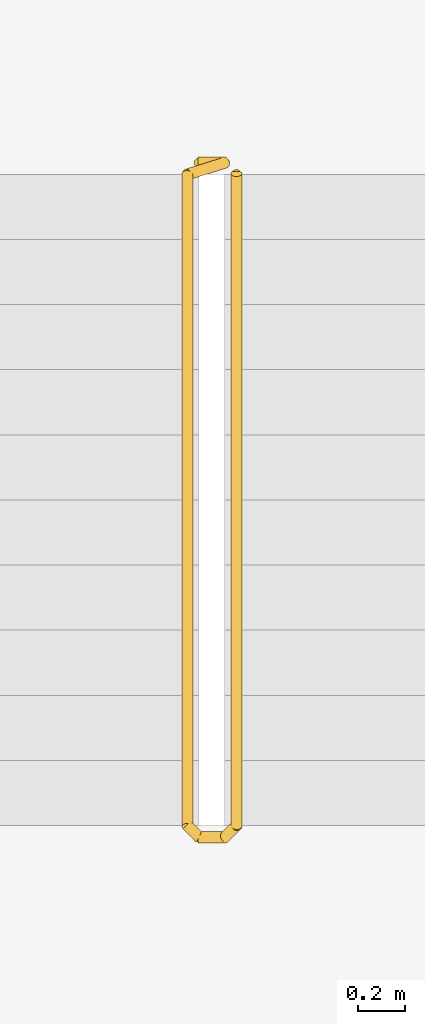
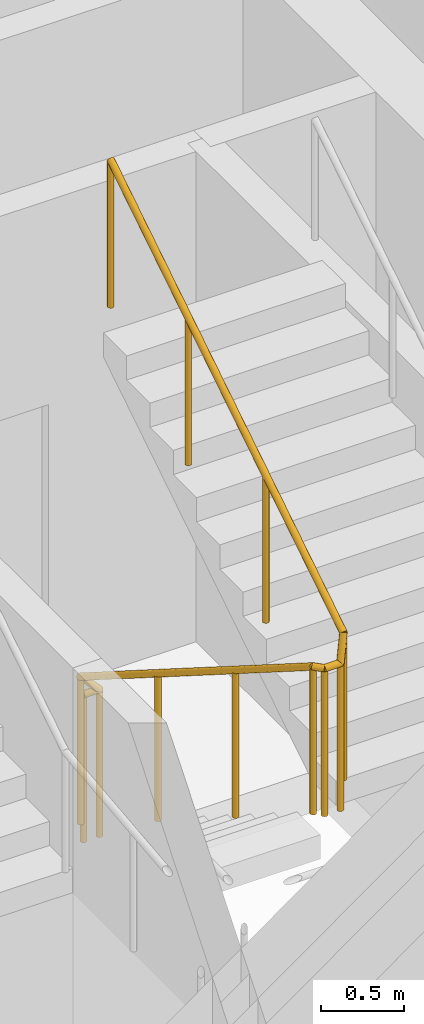
# One storey, part 16 of 16: 1 railing.
"""IFC4 building model written with IfcOpenShell, lengths in metres."""

from ifc_helpers import new_model, si_unit, direction, frame, origin, origin_2d, place, context, subcontext, project, spatial, circle, extrude, material, type_object, element, save


model = new_model("IFC4")

# Units and contexts
model_context = context("Model", 3, precision=1e-05, world=origin(), true_north=direction((0.0, 1.0)))
body_context = subcontext(model_context, "Body", "Model", "MODEL_VIEW")
ifc_project = project(units=[si_unit("LENGTHUNIT", "METRE"), si_unit("AREAUNIT", "SQUARE_METRE"), si_unit("VOLUMEUNIT", "CUBIC_METRE"), si_unit("PLANEANGLEUNIT", "RADIAN"), si_unit("MASSUNIT", "GRAM", prefix="KILO")], contexts=[model_context])

# Site, building, storey
site_placement = place(None, origin())
site = spatial("IfcSite", under=ifc_project, at=site_placement, CompositionType="ELEMENT")
building_placement = place(site_placement, origin())
building = spatial("IfcBuilding", under=site, at=building_placement, Name="Tessera Arch", CompositionType="ELEMENT")
storey_placement = place(building_placement, frame((0.0, 0.0, 218.89990234375)))
storey = spatial("IfcBuildingStorey", under=building, at=storey_placement, Name="L52", CompositionType="ELEMENT", Elevation=218.89990234375)

# Railing
ifc_material = material(Name="Painted steel balustrade", Category="steel")
railing_type = type_object("IfcRailingType", Name="Stair guard 1100", PredefinedType="GUARDRAIL", material=ifc_material)
railing_placement = place(storey_placement, frame((44.919921875, 43.6298828125, 0.0)))
element("IfcRailing", 1, at=railing_placement, inside=storey, type_object=railing_type, Name="L52 S1c stair guard 1", PredefinedType="GUARDRAIL", context=body_context, shape_type="SweptSolid", body=[
    extrude(circle(Radius=0.02392578125, at=origin_2d()), frame((-0.00390625, 0.0, 1.076171875), z_axis=(1.0, 0.0, 0.0), x_axis=(0.0, 1.0, 0.0)), (0.0, 0.0, 1.0), 0.1181640625),
    extrude(circle(Radius=0.02392578125, at=origin_2d()), frame((0.11279296875, 0.000732421875, 1.0732421875), z_axis=(-0.655271994328, -0.204084712737, 0.727301892941), x_axis=(0.297361876254, -0.954764847777, 0.0)), (0.0, 0.0, 1.0), 0.251953125),
    extrude(circle(Radius=0.02392578125, at=origin_2d()), frame((-0.0498046875, -0.04638671875, 1.25146484375), z_axis=(0.0, -0.844908973607, 0.534910110503), x_axis=(1.0, 0.0, 0.0)), (0.0, 0.0, 1.0), 3.322021484375),
    extrude(circle(Radius=0.02392578125, at=origin_2d()), frame((-0.052734375, -2.846923828125, 3.0263671875), z_axis=(0.705375805398, -0.708833529934, 0.0), x_axis=(0.708833529934, 0.705375805398, 0.0)), (0.0, 0.0, 1.0), 0.07861328125),
    extrude(circle(Radius=0.02392578125, at=origin_2d()), frame((-0.00390625, -2.89990234375, 3.0263671875), z_axis=(1.0, 0.0, 0.0), x_axis=(0.0, 1.0, 0.0)), (0.0, 0.0, 1.0), 0.1181640625),
    extrude(circle(Radius=0.02392578125, at=origin_2d()), frame((0.109130859375, -2.90087890625, 3.0224609375), z_axis=(0.262233686654, 0.262233686654, 0.928691007369), x_axis=(-0.707106781187, 0.707106781187, 0.0)), (0.0, 0.0, 1.0), 0.198974609375),
    extrude(circle(Radius=0.02392578125, at=origin_2d()), frame((0.16015625, -2.853271484375, 3.201416015625), z_axis=(0.0, 0.844908973607, 0.534910110503), x_axis=(-1.0, 0.0, 0.0)), (0.0, 0.0, 1.0), 3.322021484375),
    extrude(circle(Radius=0.02099609375, at=origin_2d()), origin(), (0.0, 0.0, 1.0), 1.06396484375),
    extrude(circle(Radius=0.02099609375, at=origin_2d()), frame((0.110107421875, 0.0, 0.0)), (0.0, 0.0, 1.0), 1.06396484375),
    extrude(circle(Radius=0.02099609375, at=origin_2d()), frame((-0.0498046875, -0.0498046875, 0.177490234375)), (0.0, 0.0, 1.0), 1.06396484375),
    extrude(circle(Radius=0.02099609375, at=origin_2d()), frame((-0.0498046875, -0.983154296875, 0.768310546875)), (0.0, 0.0, 1.0), 1.06396484375),
    extrude(circle(Radius=0.02099609375, at=origin_2d()), frame((-0.0498046875, -1.91650390625, 1.359375)), (0.0, 0.0, 1.0), 1.06396484375),
    extrude(circle(Radius=0.02099609375, at=origin_2d()), frame((-0.0498046875, -2.849853515625, 1.9501953125)), (0.0, 0.0, 1.0), 1.06396484375),
    extrude(circle(Radius=0.02099609375, at=origin_2d()), frame((0.0, -2.89990234375, 1.9501953125)), (0.0, 0.0, 1.0), 1.06396484375),
    extrude(circle(Radius=0.02099609375, at=origin_2d()), frame((0.110107421875, -2.89990234375, 1.9501953125)), (0.0, 0.0, 1.0), 1.06396484375),
    extrude(circle(Radius=0.02099609375, at=origin_2d()), frame((0.16015625, -2.849853515625, 2.12744140625)), (0.0, 0.0, 1.0), 1.06396484375),
    extrude(circle(Radius=0.02099609375, at=origin_2d()), frame((0.16015625, -1.91650390625, 2.71826171875)), (0.0, 0.0, 1.0), 1.06396484375),
    extrude(circle(Radius=0.02099609375, at=origin_2d()), frame((0.16015625, -0.983154296875, 3.309326171875)), (0.0, 0.0, 1.0), 1.06396484375),
    extrude(circle(Radius=0.02099609375, at=origin_2d()), frame((0.16015625, -0.0498046875, 3.900146484375)), (0.0, 0.0, 1.0), 1.06396484375),
])

save(model, "model.ifc")
